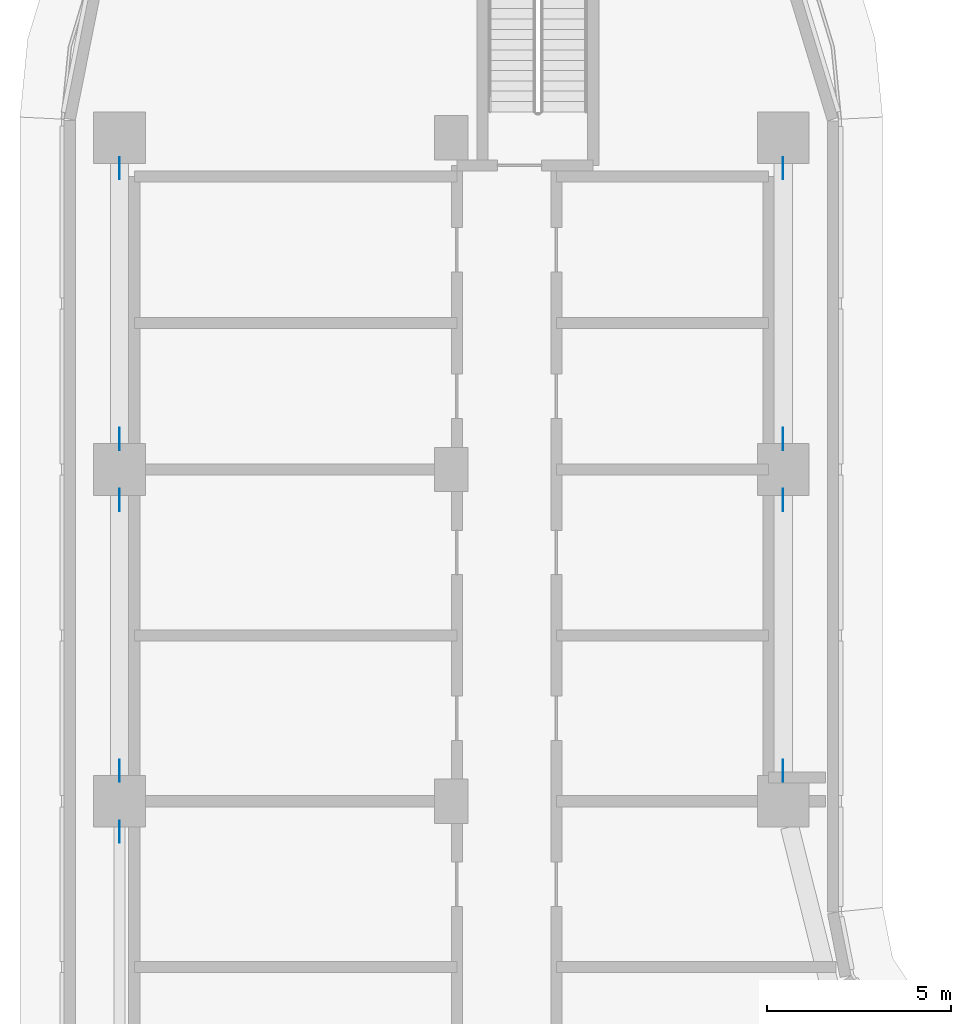
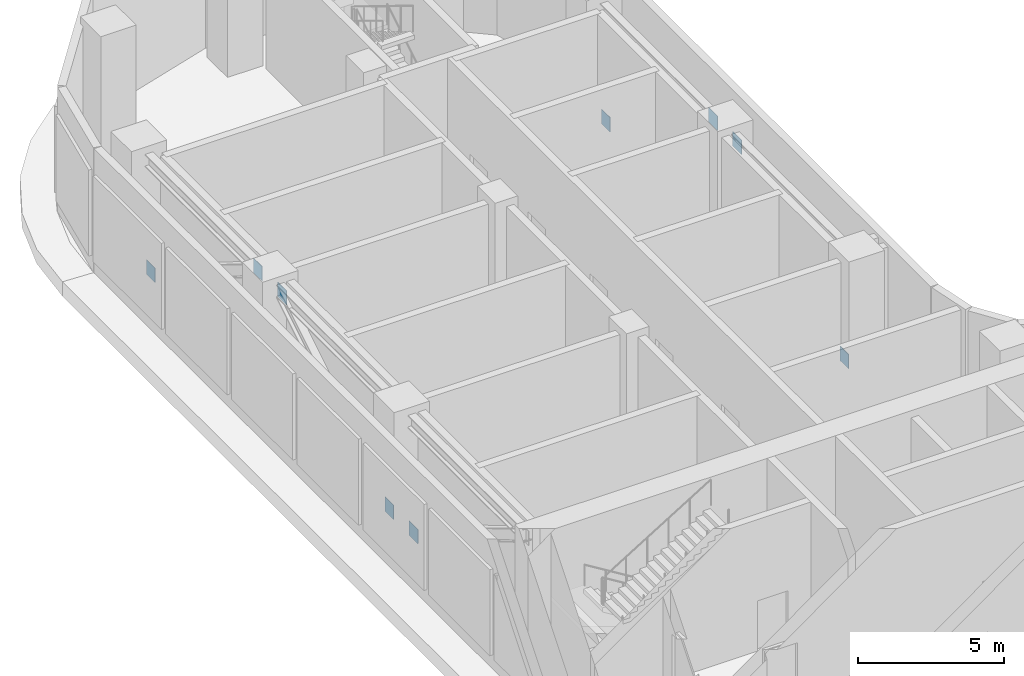
# One storey, part 14 of 23: 9 discrete accessories.
"""IFC4 building model written with IfcOpenShell, lengths in metres."""

from ifc_helpers import new_model, si_unit, direction, frame, origin, origin_2d, place, context, subcontext, project, spatial, rectangle, extrude, material, layer, layer_set, type_object, element, save


model = new_model("IFC4")

# Units and contexts
model_context = context("Model", 3, precision=1e-05, world=origin(), true_north=direction((0.0, 1.0)))
body_context = subcontext(model_context, "Body", "Model", "MODEL_VIEW")
ifc_project = project(units=[si_unit("LENGTHUNIT", "METRE"), si_unit("AREAUNIT", "SQUARE_METRE"), si_unit("VOLUMEUNIT", "CUBIC_METRE"), si_unit("PLANEANGLEUNIT", "RADIAN"), si_unit("MASSUNIT", "GRAM", prefix="KILO")], contexts=[model_context])

# Site, building, storey
site_placement = place(None, origin())
site = spatial("IfcSite", under=ifc_project, at=site_placement, CompositionType="ELEMENT")
building_placement = place(site_placement, origin())
building = spatial("IfcBuilding", under=site, at=building_placement, Name="Ogive Portal Towers", CompositionType="ELEMENT")
storey_placement = place(building_placement, frame((0.0, 0.0, 81.60009765625)))
storey = spatial("IfcBuildingStorey", under=building, at=storey_placement, Name="L19", CompositionType="ELEMENT", Elevation=81.60009765625)

# Discrete accessories
ifc_material = material(Name="Steel S355", Category="steel")
ifc_layer = layer(ifc_material, 0.02001953125)
ifc_layer_set = layer_set([ifc_layer], Name="GUSSET PLATE 600x600x20")
discrete_accessory_type = type_object("IfcDiscreteAccessoryType", Name="GUSSET PLATE 600x600x20", PredefinedType="BRACKET", material=ifc_layer_set)
for number, where, z_axis, x_axis, name in (
    (1, (49.5, 49.327880859375, 0.04052734375), (0.0, 0.0, 1.0), (0.0, 1.0, 0.0), "Gusset plate"),
    (2, (49.5, 56.672119140625, 4.559326171875), (0.0, 0.0, 1.0), (0.0, 1.0, 0.0), "Gusset plate"),
    (3, (49.5, 58.327880859375, 4.559326171875), (0.0, 0.0, 1.0), (0.0, 1.0, 0.0), "Gusset plate"),
    (4, (49.5, 65.672119140625, 0.04052734375), (0.0, 0.0, 1.0), (0.0, 1.0, 0.0), "Gusset plate"),
    (5, (31.5, 65.672119140625, 0.04052734375), (0.0, 0.0, 1.0), (0.0, -1.0, 0.0), "Gusset plate"),
    (6, (31.5, 58.327880859375, 4.559326171875), (0.0, 0.0, 1.0), (0.0, -1.0, 0.0), "Gusset plate"),
    (7, (31.5, 56.672119140625, 4.559326171875), (0.0, 0.0, 1.0), (0.0, -1.0, 0.0), "Gusset plate"),
    (8, (31.5, 49.327880859375, 0.04052734375), (0.0, 0.0, 1.0), (0.0, -1.0, 0.0), "Gusset plate"),
    (9, (31.5, 47.671142578125, 0.03857421875), (0.0, 0.0, 1.0), (0.0, -1.0, 0.0), "Gusset plate"),
):
    element("IfcDiscreteAccessory", number, at=place(storey_placement, frame(where, z_axis=z_axis, x_axis=x_axis)), inside=storey, type_object=discrete_accessory_type, Name=name, PredefinedType="BRACKET", context=body_context, shape_type="SweptSolid", body=[
        extrude(rectangle(XDim=0.60009765625, YDim=0.02001953125, at=origin_2d()), origin(), (0.0, 0.0, 1.0), 0.60009765625),
    ])

save(model, "model.ifc")
